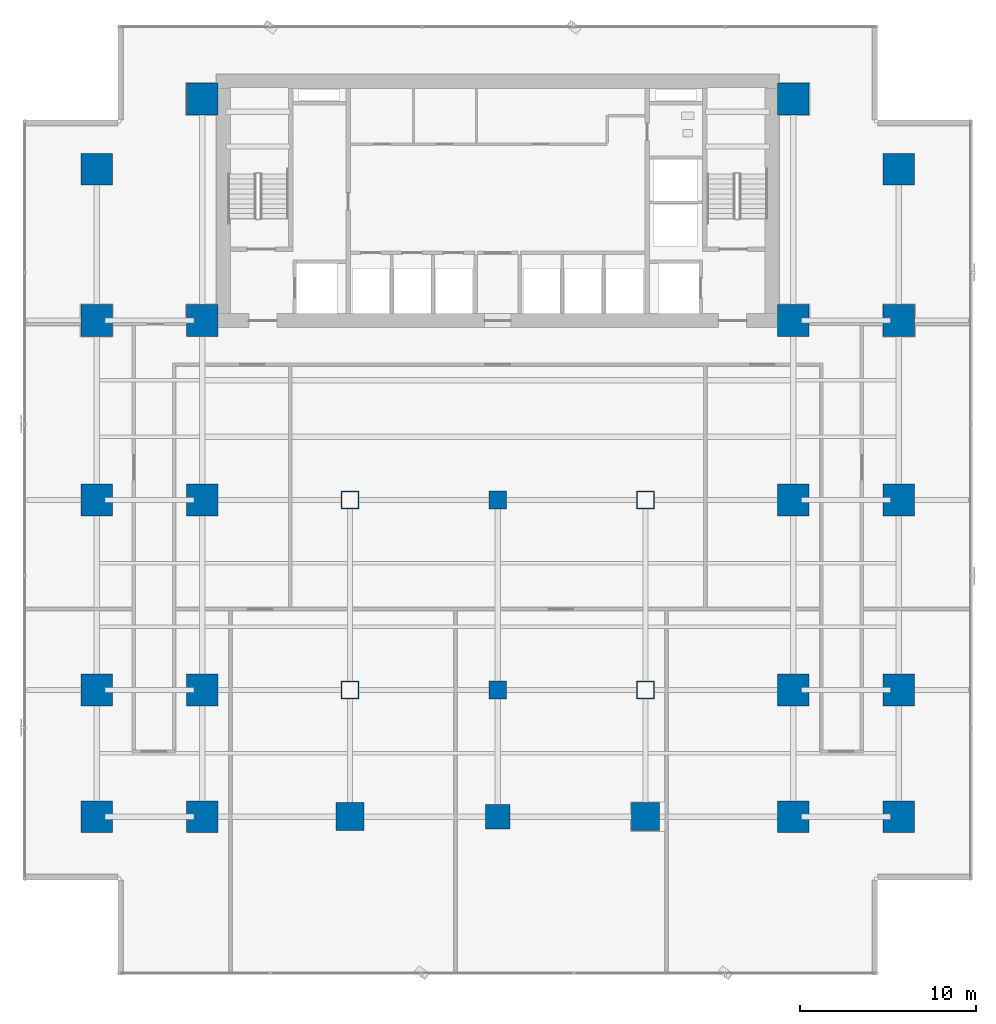
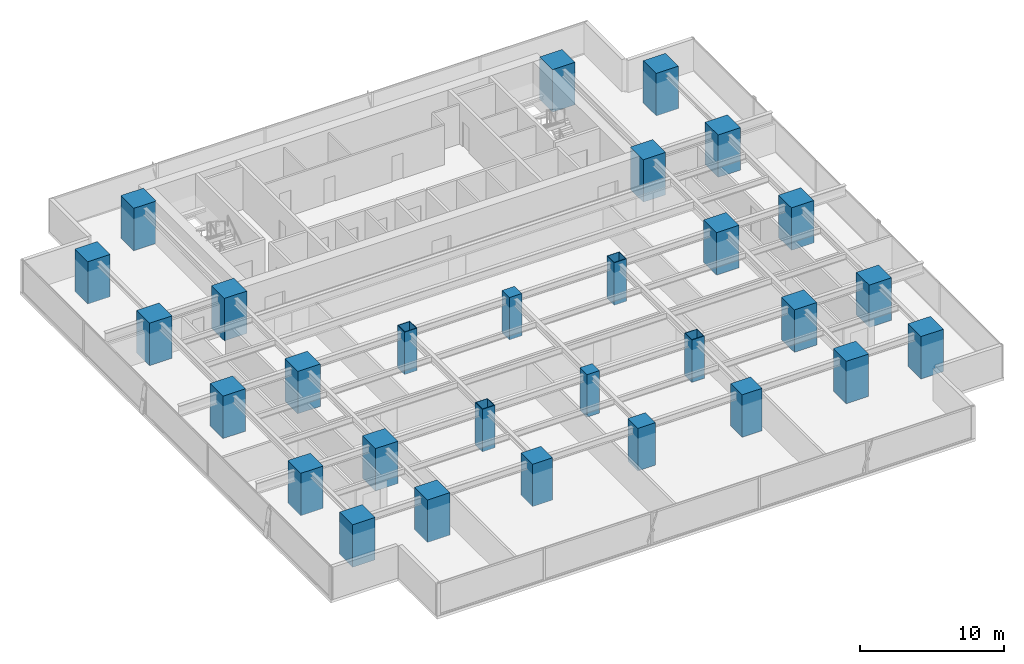
# One storey, part 1 of 33: 29 columns.
"""IFC4 building model written with IfcOpenShell, lengths in metres."""

from ifc_helpers import new_model, si_unit, direction, frame, origin, origin_2d, place, context, subcontext, project, spatial, rectangle, hollow_rectangle, extrude, source, transform, mapped, material, material_profile, profile_set, type_object, element, save


model = new_model("IFC4")

# Units and contexts
model_context = context("Model", 3, precision=1e-05, world=origin(), true_north=direction((0.0, 1.0)))
body_context = subcontext(model_context, "Body", "Model", "MODEL_VIEW")
ifc_project = project(units=[si_unit("LENGTHUNIT", "METRE"), si_unit("AREAUNIT", "SQUARE_METRE"), si_unit("VOLUMEUNIT", "CUBIC_METRE"), si_unit("PLANEANGLEUNIT", "RADIAN"), si_unit("MASSUNIT", "GRAM", prefix="KILO")], contexts=[model_context])

# Site, building, storey
site_placement = place(None, origin())
site = spatial("IfcSite", under=ifc_project, at=site_placement, CompositionType="ELEMENT")
building_placement = place(site_placement, origin())
building = spatial("IfcBuilding", under=site, at=building_placement, Name="Sumidabori Civic Tower", CompositionType="ELEMENT")
storey_placement = place(building_placement, frame((0.0, 0.0, 63.199951171875)))
storey = spatial("IfcBuildingStorey", under=building, at=storey_placement, Name="L16", CompositionType="ELEMENT", Elevation=63.199951171875)

# Columns
ifc_material_1 = material(Name="Concrete C60/75", Category="concrete")
ifc_material_profile_1 = material_profile(ifc_material_1, rectangle(XDim=1.800048828125, YDim=1.800048828125, at=origin_2d()), Name="RC 1800x1800")
ifc_profile_set_1 = profile_set([ifc_material_profile_1], Name="Concrete C60/75")
column_type_1 = type_object("IfcColumnType", Name="CL-MEGA-1800", PredefinedType="COLUMN", material=ifc_profile_set_1)
shared_shape_1 = source(origin(), body_context, "Body", "SweptSolid", [
    extrude(rectangle(XDim=1.800048828125, YDim=1.800048828125, at=origin_2d()), origin(), (0.0, 0.0, 1.0), 3.60009765625),
])
for number, where, z_axis, x_axis, name in (
    (1, (-16.800048828125, -18.0, 0.0), (0.0, 0.0, 1.0), (1.0, 0.0, 0.0), "Column MC-W16-Y18S L16"),
    (2, (-16.800048828125, -10.800048828125, 0.0), (0.0, 0.0, 1.0), (1.0, 0.0, 0.0), "Column MC-W16-Y11S L16"),
    (3, (-16.800048828125, 0.0, 0.0), (0.0, 0.0, 1.0), (1.0, 0.0, 0.0), "Column MC-W16-Y00 L16"),
    (4, (-16.800048828125, 10.199951171875, 0.0), (0.0, 0.0, 1.0), (1.0, 0.0, 0.0), "Column MC-W16-Y10N L16"),
    (5, (-16.800048828125, 22.800048828125, 0.0), (0.0, 0.0, 1.0), (1.0, 0.0, 0.0), "Column MC-W16-Y23N L16"),
    (6, (16.800048828125, -18.0, 0.0), (0.0, 0.0, 1.0), (1.0, 0.0, 0.0), "Column MC-E16-Y18S L16"),
    (7, (16.800048828125, -10.800048828125, 0.0), (0.0, 0.0, 1.0), (1.0, 0.0, 0.0), "Column MC-E16-Y11S L16"),
    (8, (16.800048828125, 0.0, 0.0), (0.0, 0.0, 1.0), (1.0, 0.0, 0.0), "Column MC-E16-Y00 L16"),
    (9, (16.800048828125, 10.199951171875, 0.0), (0.0, 0.0, 1.0), (1.0, 0.0, 0.0), "Column MC-E16-Y10N L16"),
    (10, (16.800048828125, 22.800048828125, 0.0), (0.0, 0.0, 1.0), (1.0, 0.0, 0.0), "Column MC-E16-Y23N L16"),
    (11, (-22.800048828125, -18.0, 0.0), (0.0, 0.0, 1.0), (1.0, 0.0, 0.0), "Column MC-W23-Y18S L16"),
    (12, (-22.800048828125, -10.800048828125, 0.0), (0.0, 0.0, 1.0), (1.0, 0.0, 0.0), "Column MC-W23-Y11S L16"),
    (13, (-22.800048828125, 0.0, 0.0), (0.0, 0.0, 1.0), (1.0, 0.0, 0.0), "Column MC-W23-Y00 L16"),
    (14, (-22.800048828125, 10.199951171875, 0.0), (0.0, 0.0, 1.0), (1.0, 0.0, 0.0), "Column MC-W23-Y10N L16"),
    (15, (-22.800048828125, 18.800048828125, 0.0), (0.0, 0.0, 1.0), (1.0, 0.0, 0.0), "Column MC-W23-Y19N L16"),
    (16, (22.800048828125, -18.0, 0.0), (0.0, 0.0, 1.0), (1.0, 0.0, 0.0), "Column MC-E23-Y18S L16"),
    (17, (22.800048828125, -10.800048828125, 0.0), (0.0, 0.0, 1.0), (1.0, 0.0, 0.0), "Column MC-E23-Y11S L16"),
    (18, (22.800048828125, 0.0, 0.0), (0.0, 0.0, 1.0), (1.0, 0.0, 0.0), "Column MC-E23-Y00 L16"),
    (19, (22.800048828125, 10.199951171875, 0.0), (0.0, 0.0, 1.0), (1.0, 0.0, 0.0), "Column MC-E23-Y10N L16"),
    (20, (22.800048828125, 18.800048828125, 0.0), (0.0, 0.0, 1.0), (1.0, 0.0, 0.0), "Column MC-E23-Y19N L16"),
):
    element("IfcColumn", number, at=place(storey_placement, frame(where, z_axis=z_axis, x_axis=x_axis)), inside=storey, type_object=column_type_1, Name=name, PredefinedType="COLUMN", context=body_context, shape_type="MappedRepresentation", body=[
        mapped(shared_shape_1, transform((0.0, 0.0, 0.0), x_axis=(1.0, 0.0, 0.0), y_axis=(0.0, 1.0, 0.0), z_axis=(0.0, 0.0, 1.0), scale=1.0)),
    ])
ifc_material_profile_2 = material_profile(ifc_material_1, rectangle(XDim=1.60009765625, YDim=1.60009765625, at=origin_2d()), Name="RC 1600x1600")
ifc_profile_set_2 = profile_set([ifc_material_profile_2], Name="Concrete C60/75")
column_type_2 = type_object("IfcColumnType", Name="CL-MEGA-1600", PredefinedType="COLUMN", material=ifc_profile_set_2)
shared_shape_2 = source(origin(), body_context, "Body", "SweptSolid", [
    extrude(rectangle(XDim=1.60009765625, YDim=1.60009765625, at=origin_2d()), origin(), (0.0, 0.0, 1.0), 3.60009765625),
])
for number, where, z_axis, x_axis, name in (
    (21, (-8.39990234375, -18.0, 0.0), (0.0, 0.0, 1.0), (1.0, 0.0, 0.0), "Column MC-W08-Y18S L16"),
    (22, (8.39990234375, -18.0, 0.0), (0.0, 0.0, 1.0), (1.0, 0.0, 0.0), "Column MC-E08-Y18S L16"),
):
    element("IfcColumn", number, at=place(storey_placement, frame(where, z_axis=z_axis, x_axis=x_axis)), inside=storey, type_object=column_type_2, Name=name, PredefinedType="COLUMN", context=body_context, shape_type="MappedRepresentation", body=[
        mapped(shared_shape_2, transform((0.0, 0.0, 0.0), x_axis=(1.0, 0.0, 0.0), y_axis=(0.0, 1.0, 0.0), z_axis=(0.0, 0.0, 1.0), scale=1.0)),
    ])
ifc_material_2 = material(Name="Steel SM570", Category="steel")
ifc_material_profile_3 = material_profile(ifc_material_2, hollow_rectangle(XDim=1.0, YDim=1.0, WallThickness=0.044921875, at=origin_2d()), Name="SHS 1000x1000x45")
ifc_profile_set_3 = profile_set([ifc_material_profile_3], Name="Steel SM570")
column_type_3 = type_object("IfcColumnType", Name="CL-PORTAL-SHS1000", PredefinedType="COLUMN", material=ifc_profile_set_3)
shared_shape_3 = source(origin(), body_context, "Body", "SweptSolid", [
    extrude(hollow_rectangle(XDim=1.0, YDim=1.0, WallThickness=0.044921875, at=origin_2d()), origin(), (0.0, 0.0, 1.0), 3.60009765625),
])
for number, where, z_axis, x_axis, name in (
    (23, (-8.39990234375, 0.0, 0.0), (0.0, 0.0, 1.0), (1.0, 0.0, 0.0), "Column MC-W08-Y00 L16"),
    (24, (-8.39990234375, -10.800048828125, 0.0), (0.0, 0.0, 1.0), (1.0, 0.0, 0.0), "Column MC-W08-Y11S L16"),
    (25, (8.39990234375, 0.0, 0.0), (0.0, 0.0, 1.0), (1.0, 0.0, 0.0), "Column MC-E08-Y00 L16"),
    (26, (8.39990234375, -10.800048828125, 0.0), (0.0, 0.0, 1.0), (1.0, 0.0, 0.0), "Column MC-E08-Y11S L16"),
):
    element("IfcColumn", number, at=place(storey_placement, frame(where, z_axis=z_axis, x_axis=x_axis)), inside=storey, type_object=column_type_3, Name=name, PredefinedType="COLUMN", context=body_context, shape_type="MappedRepresentation", body=[
        mapped(shared_shape_3, transform((0.0, 0.0, 0.0), x_axis=(1.0, 0.0, 0.0), y_axis=(0.0, 1.0, 0.0), z_axis=(0.0, 0.0, 1.0), scale=1.0)),
    ])
ifc_material_profile_4 = material_profile(ifc_material_1, rectangle(XDim=1.39990234375, YDim=1.39990234375, at=origin_2d()), Name="RC 1400x1400")
ifc_profile_set_4 = profile_set([ifc_material_profile_4], Name="Concrete C60/75")
column_type_4 = type_object("IfcColumnType", Name="CL-MEGA-1400", PredefinedType="COLUMN", material=ifc_profile_set_4)
shared_shape_4 = source(origin(), body_context, "Body", "SweptSolid", [
    extrude(rectangle(XDim=1.39990234375, YDim=1.39990234375, at=origin_2d()), origin(), (0.0, 0.0, 1.0), 3.60009765625),
])
column_placement = place(storey_placement, frame((0.0, -18.0, 0.0), z_axis=(0.0, 0.0, 1.0), x_axis=(1.0, 0.0, 0.0)))
element("IfcColumn", 27, at=column_placement, inside=storey, type_object=column_type_4, Name="Column MC-C00-Y18S L16", PredefinedType="COLUMN", context=body_context, shape_type="MappedRepresentation", body=[
    mapped(shared_shape_4, transform((0.0, 0.0, 0.0), x_axis=(1.0, 0.0, 0.0), y_axis=(0.0, 1.0, 0.0), z_axis=(0.0, 0.0, 1.0), scale=1.0)),
])
ifc_material_3 = material(Name="Concrete C50/60", Category="concrete")
ifc_material_profile_5 = material_profile(ifc_material_3, rectangle(XDim=1.0, YDim=1.0, at=origin_2d()), Name="RC 1000x1000")
ifc_profile_set_5 = profile_set([ifc_material_profile_5], Name="Concrete C50/60")
column_type_5 = type_object("IfcColumnType", Name="CL-INT-1000", PredefinedType="COLUMN", material=ifc_profile_set_5)
shared_shape_5 = source(origin(), body_context, "Body", "SweptSolid", [
    extrude(rectangle(XDim=1.0, YDim=1.0, at=origin_2d()), origin(), (0.0, 0.0, 1.0), 3.60009765625),
])
for number, where, z_axis, x_axis, name in (
    (28, (0.0, -10.800048828125, 0.0), (0.0, 0.0, 1.0), (1.0, 0.0, 0.0), "Column MC-C00-Y11S L16"),
    (29, (0.0, 0.0, 0.0), (0.0, 0.0, 1.0), (1.0, 0.0, 0.0), "Column MC-C00-Y00 L16"),
):
    element("IfcColumn", number, at=place(storey_placement, frame(where, z_axis=z_axis, x_axis=x_axis)), inside=storey, type_object=column_type_5, Name=name, PredefinedType="COLUMN", context=body_context, shape_type="MappedRepresentation", body=[
        mapped(shared_shape_5, transform((0.0, 0.0, 0.0), x_axis=(1.0, 0.0, 0.0), y_axis=(0.0, 1.0, 0.0), z_axis=(0.0, 0.0, 1.0), scale=1.0)),
    ])

save(model, "model.ifc")
